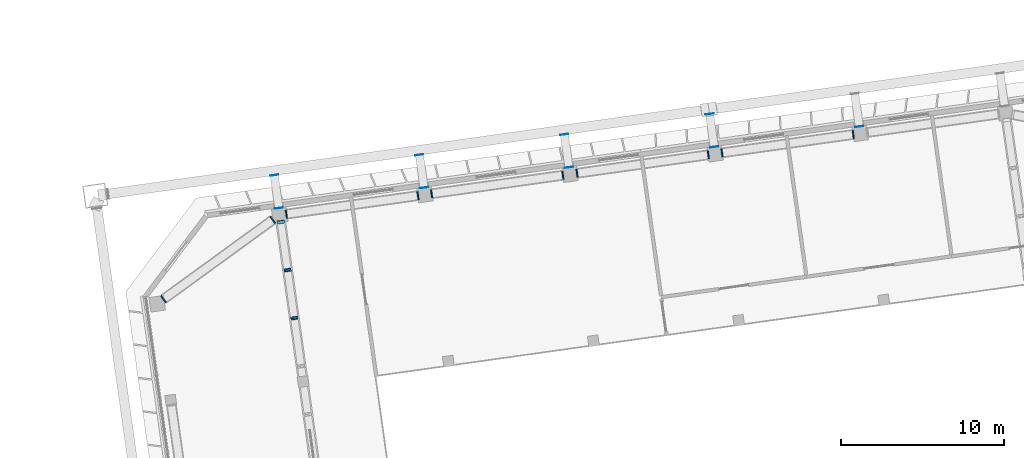
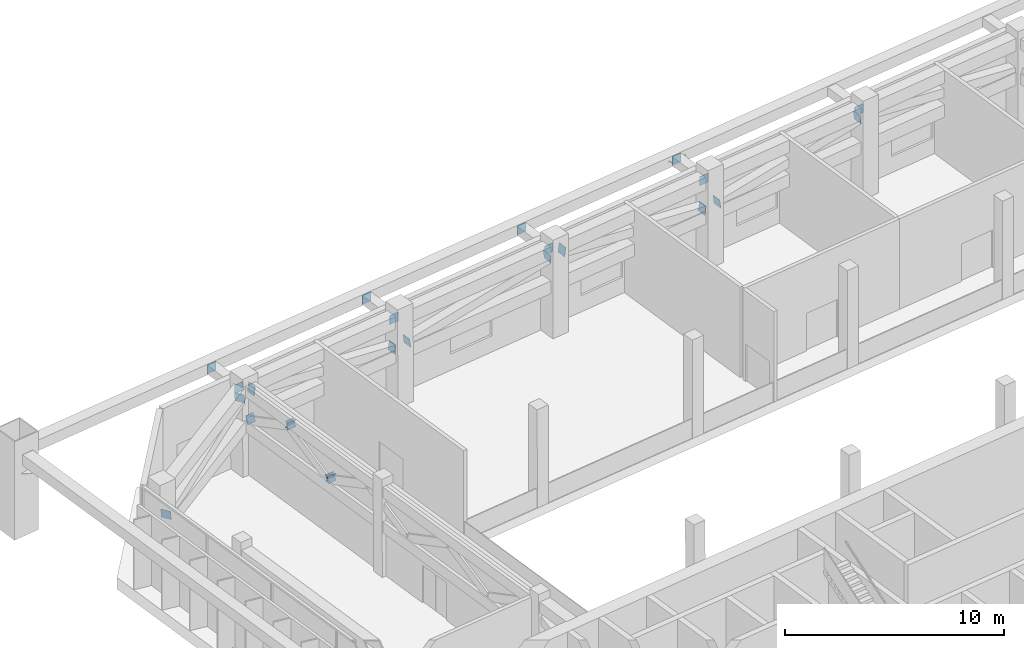
# One storey, part 37 of 41: 24 discrete accessories.
"""IFC4 building model written with IfcOpenShell, lengths in metres."""

import ifcopenshell
import ifcopenshell.guid

model = None  # the IFC model being written
_history = None  # IfcOwnerHistory: only IFC2X3 demands one
_inside = {}  # id of a spatial element -> (the spatial element, [elements in it])
_under = {}  # id of a project, library or spatial element -> (it, [spatial elements below it])
_declared = {}  # id of a project -> (the project, [libraries it declares])
_typed = {}  # id of a type object -> (the type object, [elements of that type])
_made_of = {}  # id of a material, layer set ... -> (it, [elements and type objects made of it])


def new_model(schema):
    """Start an empty IFC model of exactly this schema.

    Asked for "IFC4X3", IfcOpenShell would pick the latest addendum, in which some entities
    have other attributes; the version numbers below select the first issue.
    IFC2X3 requires an IfcOwnerHistory on every rooted entity: one is made here for all.
    """
    global model, _history
    if schema == "IFC4X3":
        model = ifcopenshell.file(schema_version=(4, 3, 0, 0))
    else:
        model = ifcopenshell.file(schema=schema)
    _inside.clear()
    _under.clear()
    _declared.clear()
    _typed.clear()
    _made_of.clear()
    _history = None
    if model.schema == "IFC2X3":
        org = make("IfcOrganization", Name="unknown")
        user = make(
            "IfcPersonAndOrganization",
            ThePerson=make("IfcPerson", FamilyName="unknown"),
            TheOrganization=org,
        )
        app = make(
            "IfcApplication",
            ApplicationDeveloper=org,
            Version="unknown",
            ApplicationFullName="unknown",
            ApplicationIdentifier="unknown",
        )
        _history = make(
            "IfcOwnerHistory",
            OwningUser=user,
            OwningApplication=app,
            ChangeAction="ADDED",
            CreationDate=0,
        )
    return model


def make(cls, **values):
    """One entity of the class cls with the attributes given. An attribute that is None is left unset."""
    return model.create_entity(
        cls, **{name: value for name, value in values.items() if value is not None}
    )


def rooted(cls, **values):
    """An entity with a GlobalId (a new one), such as an element, a storey or a relation."""
    return make(cls, GlobalId=ifcopenshell.guid.new(), OwnerHistory=_history, **values)


def si_unit(unit_type, name, prefix=None):
    """IfcSIUnit, for example si_unit("LENGTHUNIT", "METRE", prefix="MILLI")."""
    return make("IfcSIUnit", UnitType=unit_type, Prefix=prefix, Name=name)


def assignment(units):
    """IfcUnitAssignment: the units of a project."""
    return None if units is None else make("IfcUnitAssignment", Units=units)


def point(xyz):
    """IfcCartesianPoint."""
    return None if xyz is None else make("IfcCartesianPoint", Coordinates=xyz)


def direction(xyz):
    """IfcDirection."""
    return None if xyz is None else make("IfcDirection", DirectionRatios=xyz)


def frame(location, z_axis=None, x_axis=None):
    """IfcAxis2Placement3D, a coordinate frame: its origin and axes. An axis left out is left unset."""
    return make(
        "IfcAxis2Placement3D",
        Location=point(location),
        Axis=direction(z_axis),
        RefDirection=direction(x_axis),
    )


def frame_2d(location, x_axis=None):
    """IfcAxis2Placement2D, a coordinate frame in the plane: its origin and x axis."""
    return make(
        "IfcAxis2Placement2D", Location=point(location), RefDirection=direction(x_axis)
    )


def origin():
    """The frame at (0, 0, 0) with its axes left unset."""
    return frame((0.0, 0.0, 0.0))


def origin_2d():
    """The frame at (0, 0) in the plane with its x axis left unset."""
    return frame_2d((0.0, 0.0))


def place(relative_to, where):
    """IfcLocalPlacement: puts the frame where relative to a parent placement (None: the world)."""
    return make(
        "IfcLocalPlacement", PlacementRelTo=relative_to, RelativePlacement=where
    )


def context(
    kind, dimensions, precision=None, world=None, true_north=None, identifier=None
):
    """IfcGeometricRepresentationContext, for example the 3D "Model" context."""
    return make(
        "IfcGeometricRepresentationContext",
        ContextIdentifier=identifier,
        ContextType=kind,
        CoordinateSpaceDimension=dimensions,
        Precision=precision,
        WorldCoordinateSystem=world,
        TrueNorth=true_north,
    )


def subcontext(parent, identifier, kind, view, scale=None):
    """IfcGeometricRepresentationSubContext, for example "Body" below "Model"."""
    return make(
        "IfcGeometricRepresentationSubContext",
        ContextIdentifier=identifier,
        ContextType=kind,
        ParentContext=parent,
        TargetScale=scale,
        TargetView=view,
    )


def project(units=None, contexts=None):
    """IfcProject with its units and contexts."""
    return rooted(
        "IfcProject",
        Name="project",
        RepresentationContexts=contexts,
        UnitsInContext=assignment(units),
    )


def spatial(cls, under=None, at=None, **own):
    """A site, building, storey or space (cls), placed at a placement, below another one or the project."""
    s = rooted(cls, ObjectPlacement=at, **own)
    if under is not None:
        _under.setdefault(under.id(), (under, []))[1].append(s)
    return s


def profile(cls, at=None, kind="AREA", **sizes):
    """A parametric profile (cls). Its sizes go by their IFC names, for example OverallWidth=200.0."""
    return make(cls, ProfileType=kind, Position=at, **sizes)


def rectangle(**sizes):
    """IfcRectangleProfileDef."""
    return profile("IfcRectangleProfileDef", **sizes)


def extrude(swept, where, along, depth):
    """IfcExtrudedAreaSolid: the profile swept, set in the frame where, extruded along a direction by depth."""
    return make(
        "IfcExtrudedAreaSolid",
        SweptArea=swept,
        Position=where,
        ExtrudedDirection=direction(along),
        Depth=depth,
    )


def shape(context_of_items, identifier, shape_type, items):
    """IfcShapeRepresentation: the items that make up one representation, for example the "Body"."""
    return make(
        "IfcShapeRepresentation",
        ContextOfItems=context_of_items,
        RepresentationIdentifier=identifier,
        RepresentationType=shape_type,
        Items=items,
    )


def material(Name=None, Category=None):
    """IfcMaterial."""
    return make("IfcMaterial", Name=Name, Category=Category)


def material_profile(
    of_material, cross_section, Name=None, Category=None, Priority=None
):
    """IfcMaterialProfile: a cross section and its material."""
    return make(
        "IfcMaterialProfile",
        Name=Name,
        Material=of_material,
        Profile=cross_section,
        Priority=Priority,
        Category=Category,
    )


def profile_set(profiles, Name=None, composite=None):
    """IfcMaterialProfileSet."""
    return make(
        "IfcMaterialProfileSet",
        Name=Name,
        MaterialProfiles=profiles,
        CompositeProfile=composite,
    )


def made_of(thing, what):
    """Note that an element or type object is made of a material, layer set ...; save() writes the relation."""
    if what is not None:
        _made_of.setdefault(what.id(), (what, []))[1].append(thing)
    return thing


def type_object(cls, material=None, **own):
    """A type object (cls), such as IfcWallType, which elements share."""
    return made_of(rooted(cls, **own), material)


def element(
    cls,
    number,
    at=None,
    inside=None,
    cuts=None,
    type_object=None,
    material=None,
    context=None,
    identifier="Body",
    shape_type=None,
    held_by="IfcProductDefinitionShape",
    body=None,
    shapes=None,
    **own,
):
    """One element of the class cls, such as IfcWall. Its Tag is "e" and its number.

    at: its placement. inside: the storey or other place that contains it. cuts: it is an
    opening in that element (IfcRelVoidsElement). A single representation is given by context,
    identifier, shape_type and body (its items); several are given by shapes. held_by: the class
    of the entity that holds the representations. save() writes the other relations.
    """
    e = rooted(cls, Tag="e%d" % number, ObjectPlacement=at, **own)
    if body is not None:
        shapes = [shape(context, identifier, shape_type, body)]
    if shapes is not None:
        e.Representation = make(held_by, Representations=shapes)
    if inside is not None:
        _inside.setdefault(inside.id(), (inside, []))[1].append(e)
    if cuts is not None:
        rooted(
            "IfcRelVoidsElement", RelatingBuildingElement=cuts, RelatedOpeningElement=e
        )
    if type_object is not None:
        _typed.setdefault(type_object.id(), (type_object, []))[1].append(e)
    return made_of(e, material)


def aggregate(whole, parts):
    """IfcRelAggregates: a whole, such as a stair, and the parts it consists of."""
    return rooted("IfcRelAggregates", RelatingObject=whole, RelatedObjects=parts)


def save(model, path):
    """Write the relations noted so far, then the file.

    IfcRelAggregates (storeys below a building ...), IfcRelContainedInSpatialStructure (elements
    in a storey), IfcRelDefinesByType, IfcRelAssociatesMaterial and IfcRelDeclares: one each for
    every whole, place, type object, material and project.
    """
    for whole, parts in _under.values():
        aggregate(whole, parts)
    for where, things in _inside.values():
        rooted(
            "IfcRelContainedInSpatialStructure",
            RelatedElements=things,
            RelatingStructure=where,
        )
    for kind, things in _typed.values():
        rooted("IfcRelDefinesByType", RelatedObjects=things, RelatingType=kind)
    for what, things in _made_of.values():
        rooted("IfcRelAssociatesMaterial", RelatedObjects=things, RelatingMaterial=what)
    for by, libraries in _declared.values():
        rooted("IfcRelDeclares", RelatingContext=by, RelatedDefinitions=libraries)
    model.write(path)


model = new_model("IFC4")

# Units and contexts
model_context = context("Model", 3, precision=1e-05, world=origin(), true_north=direction((0.0, 1.0)))
body_context = subcontext(model_context, "Body", "Model", "MODEL_VIEW")
ifc_project = project(units=[si_unit("LENGTHUNIT", "METRE"), si_unit("AREAUNIT", "SQUARE_METRE"), si_unit("VOLUMEUNIT", "CUBIC_METRE"), si_unit("PLANEANGLEUNIT", "RADIAN"), si_unit("MASSUNIT", "GRAM", prefix="KILO")], contexts=[model_context])

# Site, building, storey
site_placement = place(None, origin())
site = spatial("IfcSite", under=ifc_project, at=site_placement, CompositionType="ELEMENT")
building_placement = place(site_placement, origin())
building = spatial("IfcBuilding", under=site, at=building_placement, Name="Mirante Cascada Hotel Towers", CompositionType="ELEMENT")
storey_placement = place(building_placement, frame((0.0, 0.0, 151.9)))
storey = spatial("IfcBuildingStorey", under=building, at=storey_placement, Name="L35", CompositionType="ELEMENT", Elevation=151.9)

# Discrete accessories
ifc_material_1 = material(Name="Steel ASTM A572 Gr 50", Category="steel")
ifc_material_profile_1 = material_profile(ifc_material_1, rectangle(XDim=0.45, YDim=0.45, at=origin_2d()), Name="Connection plate 450x450x25 ASTM A572 Gr 50")
ifc_profile_set_1 = profile_set([ifc_material_profile_1], Name="Steel ASTM A572 Gr 50")
discrete_accessory_type_1 = type_object("IfcDiscreteAccessoryType", Name="Connection plate 450x450x25 ASTM A572 Gr 50", PredefinedType="BRACKET", material=ifc_profile_set_1)
for number, where, z_axis, x_axis, name in (
    (1, (37.2786, 10.9855, 3.1052), (-0.1280359, 0.9002521, -0.4161165), (-0.9900373, -0.1408053, 0.0), "Connection plate OR351D"),
    (2, (37.2786, 10.9855, 3.0948), (-0.1280359, 0.9002521, 0.4161165), (-0.9900373, -0.1408053, 0.0), "Connection plate OR351D"),
):
    element("IfcDiscreteAccessory", number, at=place(storey_placement, frame(where, z_axis=z_axis, x_axis=x_axis)), inside=storey, type_object=discrete_accessory_type_1, Name=name, PredefinedType="BRACKET", context=body_context, shape_type="SweptSolid", body=[
        extrude(rectangle(XDim=0.45, YDim=0.45, at=origin_2d()), origin(), (0.0, 0.0, 1.0), 0.025),
    ])
for number, where, z_axis, x_axis, name in (
    (3, (36.8637, 13.9377, 4.4448), (-0.1275761, 0.9010064, 0.4146224), (-0.990124, -0.1401945, 0.0), "Connection plate OR351D"),
    (4, (36.8637, 13.9377, 4.4552), (-0.1275761, 0.9010064, -0.4146224), (-0.990124, -0.1401945, 0.0), "Connection plate OR351D"),
    (5, (36.4488, 16.8899, 3.1052), (-0.1275761, 0.9010064, -0.4146224), (-0.990124, -0.1401945, 0.0), "Connection plate OR351D"),
):
    element("IfcDiscreteAccessory", number, at=place(storey_placement, frame(where, z_axis=z_axis, x_axis=x_axis)), inside=storey, type_object=discrete_accessory_type_1, Name=name, PredefinedType="BRACKET", context=body_context, shape_type="SweptSolid", body=[
        extrude(rectangle(XDim=0.45, YDim=0.45, at=origin_2d()), origin(), (0.0, 0.0, 1.0), 0.0251),
    ])
ifc_material_2 = material(Name="Steel ASTM A572 Gr 50", Category="steel")
ifc_material_profile_2 = material_profile(ifc_material_2, rectangle(XDim=0.5, YDim=0.5, at=origin_2d()), Name="Connection plate 500x500x25 ASTM A572 Gr 50")
ifc_profile_set_2 = profile_set([ifc_material_profile_2], Name="Steel ASTM A572 Gr 50")
discrete_accessory_type_2 = type_object("IfcDiscreteAccessoryType", Name="Connection plate 500x500x25 ASTM A572 Gr 50", PredefinedType="BRACKET", material=ifc_profile_set_2)
for number, where, z_axis, x_axis, name in (
    (6, (29.2439, 12.1562, 3.1482), (0.7992842, 0.5834774, 0.1438711), (-0.5896115, 0.807687, 0.0), "Connection plate BT35D"),
    (7, (35.9483, 17.0274, 4.3482), (0.8025759, 0.5789727, 0.1437449), (-0.5850485, 0.8109983, 0.0), "Connection plate BT35D"),
    (8, (36.7681, 17.3805, 4.3518), (0.9796396, 0.1399485, -0.143947), (-0.1414214, 0.9899495, 0.0), "Connection plate BT35D"),
    (9, (44.8481, 18.5161, 3.1518), (0.9796396, 0.1399485, -0.143947), (-0.1414214, 0.9899495, 0.0), "Connection plate BT35D"),
    (10, (45.6998, 18.6358, 3.1482), (0.9796396, 0.1399485, 0.143947), (-0.1414214, 0.9899495, 0.0), "Connection plate BT35D"),
    (11, (53.7593, 19.7685, 4.3482), (0.9801804, 0.136025, 0.1440265), (-0.1374582, 0.9905076, 0.0), "Connection plate BT35D"),
    (12, (54.6109, 19.8882, 4.3518), (0.9801804, 0.136025, -0.1440265), (-0.1374582, 0.9905076, 0.0), "Connection plate BT35D"),
    (13, (62.6717, 21.0211, 3.1518), (0.9801804, 0.136025, -0.1440265), (-0.1374582, 0.9905076, 0.0), "Connection plate BT35D"),
    (14, (63.5233, 21.1407, 3.1482), (0.9796396, 0.1399485, 0.143947), (-0.1414214, 0.9899495, 0.0), "Connection plate BT35D"),
    (15, (71.5841, 22.2736, 4.3482), (0.9796396, 0.1399485, 0.143947), (-0.1414214, 0.9899495, 0.0), "Connection plate BT35D"),
):
    element("IfcDiscreteAccessory", number, at=place(storey_placement, frame(where, z_axis=z_axis, x_axis=x_axis)), inside=storey, type_object=discrete_accessory_type_2, Name=name, PredefinedType="BRACKET", context=body_context, shape_type="SweptSolid", body=[
        extrude(rectangle(XDim=0.5, YDim=0.5, at=origin_2d()), origin(), (0.0, 0.0, 1.0), 0.025),
    ])
discrete_accessory_1_placement = place(storey_placement, frame((36.3293, 17.7405, 4.35), z_axis=(-0.1402989, 0.9901092, 0.0), x_axis=(-0.9901092, -0.1402989, 0.0)))
element("IfcDiscreteAccessory", 16, at=discrete_accessory_1_placement, inside=storey, type_object=discrete_accessory_type_2, Name="Connection plate TIE", PredefinedType="BRACKET", context=body_context, shape_type="SweptSolid", body=[
    extrude(rectangle(XDim=0.5, YDim=0.5, at=origin_2d()), origin(), (0.0, 0.0, 1.0), 0.0249),
])
for number, where, z_axis, x_axis, name in (
    (17, (36.0453, 19.7606, 4.35), (-0.1358263, 0.9907327, 0.0), (-0.9907327, -0.1358263, 0.0), "Connection plate TIE"),
    (18, (45.2417, 18.993, 4.35), (-0.1397442, 0.9901876, 0.0), (-0.9901876, -0.1397442, 0.0), "Connection plate TIE"),
):
    element("IfcDiscreteAccessory", number, at=place(storey_placement, frame(where, z_axis=z_axis, x_axis=x_axis)), inside=storey, type_object=discrete_accessory_type_2, Name=name, PredefinedType="BRACKET", context=body_context, shape_type="SweptSolid", body=[
        extrude(rectangle(XDim=0.5, YDim=0.5, at=origin_2d()), origin(), (0.0, 0.0, 1.0), 0.025),
    ])
discrete_accessory_2_placement = place(storey_placement, frame((44.9578, 21.0132, 4.35), z_axis=(-0.1402989, 0.9901092, 0.0), x_axis=(-0.9901092, -0.1402989, 0.0)))
element("IfcDiscreteAccessory", 19, at=discrete_accessory_2_placement, inside=storey, type_object=discrete_accessory_type_2, Name="Connection plate TIE", PredefinedType="BRACKET", context=body_context, shape_type="SweptSolid", body=[
    extrude(rectangle(XDim=0.5, YDim=0.5, at=origin_2d()), origin(), (0.0, 0.0, 1.0), 0.0249),
])
for number, where, z_axis, x_axis, name in (
    (20, (54.1392, 20.2435, 4.35), (-0.1397442, 0.9901876, 0.0), (-0.9901876, -0.1397442, 0.0), "Connection plate TIE"),
    (21, (53.8553, 22.2636, 4.35), (-0.1397442, 0.9901876, 0.0), (-0.9901876, -0.1397442, 0.0), "Connection plate TIE"),
):
    element("IfcDiscreteAccessory", number, at=place(storey_placement, frame(where, z_axis=z_axis, x_axis=x_axis)), inside=storey, type_object=discrete_accessory_type_2, Name=name, PredefinedType="BRACKET", context=body_context, shape_type="SweptSolid", body=[
        extrude(rectangle(XDim=0.5, YDim=0.5, at=origin_2d()), origin(), (0.0, 0.0, 1.0), 0.025),
    ])
discrete_accessory_3_placement = place(storey_placement, frame((63.0516, 21.4961, 4.35), z_axis=(-0.136366, 0.9906585, 0.0), x_axis=(-0.9906585, -0.136366, 0.0)))
element("IfcDiscreteAccessory", 22, at=discrete_accessory_3_placement, inside=storey, type_object=discrete_accessory_type_2, Name="Connection plate TIE", PredefinedType="BRACKET", context=body_context, shape_type="SweptSolid", body=[
    extrude(rectangle(XDim=0.5, YDim=0.5, at=origin_2d()), origin(), (0.0, 0.0, 1.0), 0.0249),
])
for number, where, z_axis, x_axis, name in (
    (23, (62.7677, 23.5162, 4.35), (-0.1397442, 0.9901876, 0.0), (-0.9901876, -0.1397442, 0.0), "Connection plate TIE"),
    (24, (71.964, 22.7486, 4.35), (-0.1358263, 0.9907327, 0.0), (-0.9907327, -0.1358263, 0.0), "Connection plate TIE"),
):
    element("IfcDiscreteAccessory", number, at=place(storey_placement, frame(where, z_axis=z_axis, x_axis=x_axis)), inside=storey, type_object=discrete_accessory_type_2, Name=name, PredefinedType="BRACKET", context=body_context, shape_type="SweptSolid", body=[
        extrude(rectangle(XDim=0.5, YDim=0.5, at=origin_2d()), origin(), (0.0, 0.0, 1.0), 0.025),
    ])

save(model, "model.ifc")
